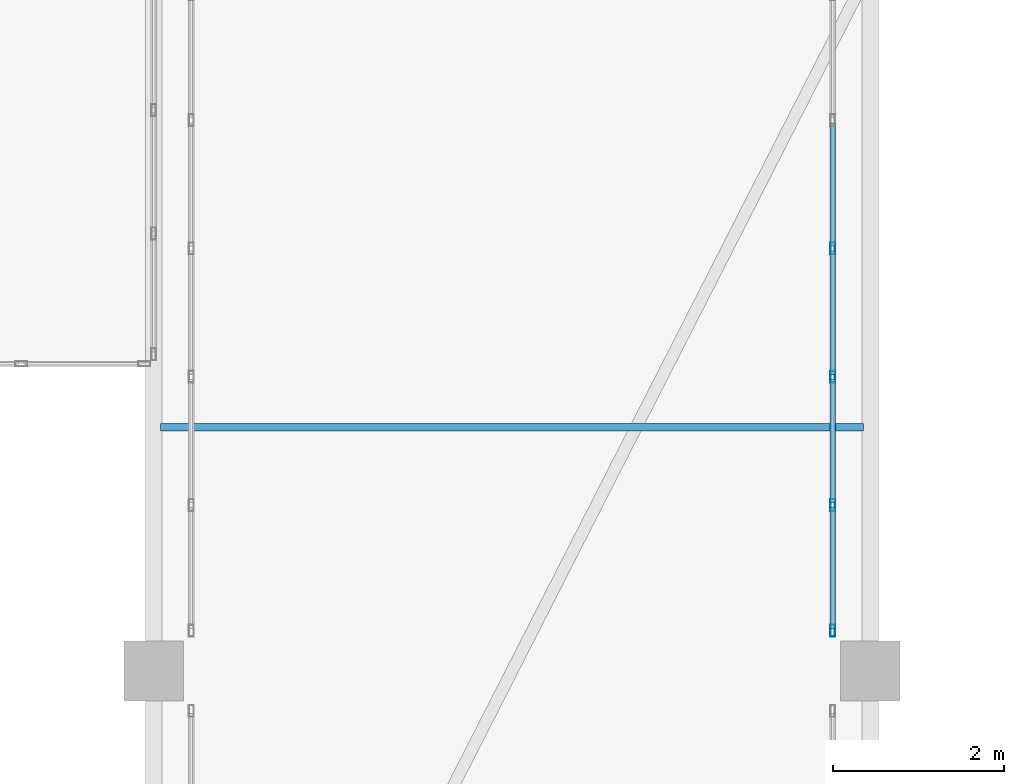
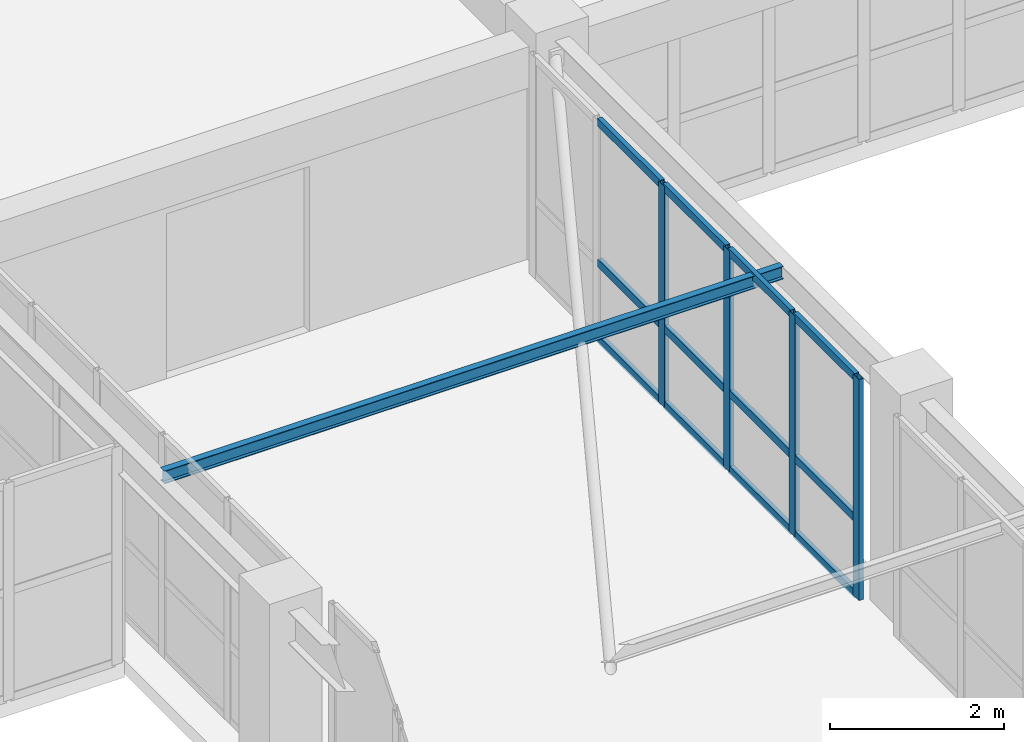
# One storey, part 39 of 148: 16 members, 1 beam, 1 element without a shape of its own.
"""IFC4 building model written with IfcOpenShell, lengths in metres."""

from ifc_helpers import new_model, si_unit, direction, frame, origin, origin_2d, place, context, subcontext, project, spatial, hollow_rectangle, i_section, extrude, material, layer, layer_set, material_profile, profile_set, type_object, element, aggregate, save


model = new_model("IFC4")

# Units and contexts
model_context = context("Model", 3, precision=1e-05, world=origin(), true_north=direction((0.0, 1.0)))
body_context = subcontext(model_context, "Body", "Model", "MODEL_VIEW")
ifc_project = project(units=[si_unit("LENGTHUNIT", "METRE"), si_unit("AREAUNIT", "SQUARE_METRE"), si_unit("VOLUMEUNIT", "CUBIC_METRE"), si_unit("PLANEANGLEUNIT", "RADIAN"), si_unit("MASSUNIT", "GRAM", prefix="KILO")], contexts=[model_context])

# Site, building, storey
site_placement = place(None, origin())
site = spatial("IfcSite", under=ifc_project, at=site_placement, CompositionType="ELEMENT")
building_placement = place(site_placement, origin())
building = spatial("IfcBuilding", under=site, at=building_placement, Name="Trelvath General Hospital", CompositionType="ELEMENT")
storey_placement = place(building_placement, frame((0.0, 0.0, 12.89990234375)))
storey = spatial("IfcBuildingStorey", under=building, at=storey_placement, Name="L03", CompositionType="ELEMENT", Elevation=12.89990234375)

# Beam
ifc_material_1 = material(Name="Steel S355", Category="steel")
ifc_material_profile_1 = material_profile(ifc_material_1, i_section(OverallWidth=0.091064453125, OverallDepth=0.179931640625, WebThickness=0.00537109375, FlangeThickness=0.008056640625, at=origin_2d()), Name="IPE180")
ifc_profile_set_1 = profile_set([ifc_material_profile_1], Name="Steel S355")
beam_type = type_object("IfcBeamType", Name="BridgeJoist IPE180", PredefinedType="JOIST", material=ifc_profile_set_1)
beam_placement = place(storey_placement, frame((75.679931640625, 36.4560546875, 3.02001953125), z_axis=(1.0, 0.0, 0.0), x_axis=(0.0, 1.0, 0.0)))
element("IfcBeam", 1, at=beam_placement, inside=storey, type_object=beam_type, Name="Bridge Cross Joist BRG-S-C L04", PredefinedType="JOIST", context=body_context, shape_type="SweptSolid", body=[
    extrude(i_section(OverallWidth=0.091064453125, OverallDepth=0.179931640625, WebThickness=0.00537109375, FlangeThickness=0.008056640625, at=origin_2d()), origin(), (0.0, 0.0, 1.0), 8.239990234375),
])

# Curtain wall, members
ifc_material_2 = material(Name="Anodised aluminium and low-E glass", Category="aluminium")
ifc_layer = layer(ifc_material_2, 0.139892578125)
ifc_layer_set = layer_set([ifc_layer], Name="Anodised aluminium and low-E glass")
curtain_wall_type = type_object("IfcCurtainWallType", Name="CW Bridge 752 311", PredefinedType="USERDEFINED", material=ifc_layer_set)
curtain_wall_placement = place(storey_placement, origin())
curtain_wall = element("IfcCurtainWall", 2, at=curtain_wall_placement, inside=storey, type_object=curtain_wall_type, Name="Glazed Bridge Curtain Wall BRG-S-C E L03", ObjectType="Unitised Glazed Curtain Wall", PredefinedType="USERDEFINED")
ifc_material_3 = material(Name="Anodised aluminium", Category="aluminium")
ifc_material_profile_2 = material_profile(ifc_material_3, hollow_rectangle(XDim=0.06005859375, YDim=0.139892578125, WallThickness=0.00390625, at=origin_2d()), Name="RHS60x140x4")
ifc_profile_set_2 = profile_set([ifc_material_profile_2], Name="Anodised aluminium")
member_type_1 = type_object("IfcMemberType", Name="CurtainMullion 60x140", PredefinedType="MULLION", material=ifc_profile_set_2)
member_1_placement = place(storey_placement, frame((83.56005859375, 38.552001953125, 0.0), z_axis=(0.0, 0.0, 1.0), x_axis=(1.0, 0.0, 0.0)))
member_1 = element("IfcMember", 3, at=member_1_placement, type_object=member_type_1, Name="CW-267 mullion 3", PredefinedType="MULLION", context=body_context, shape_type="SweptSolid", body=[
    extrude(hollow_rectangle(XDim=0.06005859375, YDim=0.139892578125, WallThickness=0.00390625, at=origin_2d()), origin(), (0.0, 0.0, 1.0), 3.110107421875),
])
member_2_placement = place(storey_placement, frame((83.56005859375, 37.048095703125, 0.0), z_axis=(0.0, 0.0, 1.0), x_axis=(1.0, 0.0, 0.0)))
member_2 = element("IfcMember", 4, at=member_2_placement, type_object=member_type_1, Name="CW-267 mullion 4", PredefinedType="MULLION", context=body_context, shape_type="SweptSolid", body=[
    extrude(hollow_rectangle(XDim=0.06005859375, YDim=0.139892578125, WallThickness=0.00390625, at=origin_2d()), origin(), (0.0, 0.0, 1.0), 3.110107421875),
])
member_3_placement = place(storey_placement, frame((83.56005859375, 35.5439453125, 0.0), z_axis=(0.0, 0.0, 1.0), x_axis=(1.0, 0.0, 0.0)))
member_3 = element("IfcMember", 5, at=member_3_placement, type_object=member_type_1, Name="CW-267 mullion 5", PredefinedType="MULLION", context=body_context, shape_type="SweptSolid", body=[
    extrude(hollow_rectangle(XDim=0.06005859375, YDim=0.139892578125, WallThickness=0.00390625, at=origin_2d()), origin(), (0.0, 0.0, 1.0), 3.110107421875),
])
member_4_placement = place(storey_placement, frame((83.56005859375, 34.070068359375, 0.0), z_axis=(0.0, 0.0, 1.0), x_axis=(1.0, 0.0, 0.0)))
member_4 = element("IfcMember", 6, at=member_4_placement, type_object=member_type_1, Name="CW-267 mullion 6", PredefinedType="MULLION", context=body_context, shape_type="SweptSolid", body=[
    extrude(hollow_rectangle(XDim=0.06005859375, YDim=0.139892578125, WallThickness=0.00390625, at=origin_2d()), origin(), (0.0, 0.0, 1.0), 3.110107421875),
])
ifc_material_4 = material(Name="Anodised aluminium", Category="aluminium")
ifc_material_profile_3 = material_profile(ifc_material_4, hollow_rectangle(XDim=0.06005859375, YDim=0.110107421875, WallThickness=0.00390625, at=origin_2d()), Name="RHS60x110x4")
ifc_profile_set_3 = profile_set([ifc_material_profile_3], Name="Anodised aluminium")
member_type_2 = type_object("IfcMemberType", Name="CurtainTransom 60x110", PredefinedType="USERDEFINED", material=ifc_profile_set_3)
member_5_placement = place(storey_placement, frame((83.56005859375, 40.02587890625, 0.030029296875), z_axis=(0.0, -1.0, 0.0), x_axis=(1.0, 0.0, 0.0)))
member_5 = element("IfcMember", 7, at=member_5_placement, type_object=member_type_2, Name="CW-267 transom 2.1", ObjectType="TRANSOM", PredefinedType="USERDEFINED", context=body_context, shape_type="SweptSolid", body=[
    extrude(hollow_rectangle(XDim=0.06005859375, YDim=0.110107421875, WallThickness=0.00390625, at=origin_2d()), origin(), (0.0, 0.0, 1.0), 1.44384765625),
])
member_6_placement = place(storey_placement, frame((83.56005859375, 40.02587890625, 1.10009765625), z_axis=(0.0, -1.0, 0.0), x_axis=(1.0, 0.0, 0.0)))
member_6 = element("IfcMember", 8, at=member_6_placement, type_object=member_type_2, Name="CW-267 transom 2.2", ObjectType="TRANSOM", PredefinedType="USERDEFINED", context=body_context, shape_type="SweptSolid", body=[
    extrude(hollow_rectangle(XDim=0.06005859375, YDim=0.110107421875, WallThickness=0.00390625, at=origin_2d()), origin(), (0.0, 0.0, 1.0), 1.44384765625),
])
member_7_placement = place(storey_placement, frame((83.56005859375, 40.02587890625, 3.080078125), z_axis=(0.0, -1.0, 0.0), x_axis=(1.0, 0.0, 0.0)))
member_7 = element("IfcMember", 9, at=member_7_placement, type_object=member_type_2, Name="CW-267 transom 2.3", ObjectType="TRANSOM", PredefinedType="USERDEFINED", context=body_context, shape_type="SweptSolid", body=[
    extrude(hollow_rectangle(XDim=0.06005859375, YDim=0.110107421875, WallThickness=0.00390625, at=origin_2d()), origin(), (0.0, 0.0, 1.0), 1.44384765625),
])
member_8_placement = place(storey_placement, frame((83.56005859375, 38.52197265625, 0.030029296875), z_axis=(0.0, -1.0, 0.0), x_axis=(1.0, 0.0, 0.0)))
member_8 = element("IfcMember", 10, at=member_8_placement, type_object=member_type_2, Name="CW-267 transom 3.1", ObjectType="TRANSOM", PredefinedType="USERDEFINED", context=body_context, shape_type="SweptSolid", body=[
    extrude(hollow_rectangle(XDim=0.06005859375, YDim=0.110107421875, WallThickness=0.00390625, at=origin_2d()), origin(), (0.0, 0.0, 1.0), 1.444091796875),
])
member_9_placement = place(storey_placement, frame((83.56005859375, 38.52197265625, 1.10009765625), z_axis=(0.0, -1.0, 0.0), x_axis=(1.0, 0.0, 0.0)))
member_9 = element("IfcMember", 11, at=member_9_placement, type_object=member_type_2, Name="CW-267 transom 3.2", ObjectType="TRANSOM", PredefinedType="USERDEFINED", context=body_context, shape_type="SweptSolid", body=[
    extrude(hollow_rectangle(XDim=0.06005859375, YDim=0.110107421875, WallThickness=0.00390625, at=origin_2d()), origin(), (0.0, 0.0, 1.0), 1.444091796875),
])
member_10_placement = place(storey_placement, frame((83.56005859375, 38.52197265625, 3.080078125), z_axis=(0.0, -1.0, 0.0), x_axis=(1.0, 0.0, 0.0)))
member_10 = element("IfcMember", 12, at=member_10_placement, type_object=member_type_2, Name="CW-267 transom 3.3", ObjectType="TRANSOM", PredefinedType="USERDEFINED", context=body_context, shape_type="SweptSolid", body=[
    extrude(hollow_rectangle(XDim=0.06005859375, YDim=0.110107421875, WallThickness=0.00390625, at=origin_2d()), origin(), (0.0, 0.0, 1.0), 1.444091796875),
])
member_11_placement = place(storey_placement, frame((83.56005859375, 37.01806640625, 0.030029296875), z_axis=(0.0, -1.0, 0.0), x_axis=(1.0, 0.0, 0.0)))
member_11 = element("IfcMember", 13, at=member_11_placement, type_object=member_type_2, Name="CW-267 transom 4.1", ObjectType="TRANSOM", PredefinedType="USERDEFINED", context=body_context, shape_type="SweptSolid", body=[
    extrude(hollow_rectangle(XDim=0.06005859375, YDim=0.110107421875, WallThickness=0.00390625, at=origin_2d()), origin(), (0.0, 0.0, 1.0), 1.444091796875),
])
member_12_placement = place(storey_placement, frame((83.56005859375, 37.01806640625, 1.10009765625), z_axis=(0.0, -1.0, 0.0), x_axis=(1.0, 0.0, 0.0)))
member_12 = element("IfcMember", 14, at=member_12_placement, type_object=member_type_2, Name="CW-267 transom 4.2", ObjectType="TRANSOM", PredefinedType="USERDEFINED", context=body_context, shape_type="SweptSolid", body=[
    extrude(hollow_rectangle(XDim=0.06005859375, YDim=0.110107421875, WallThickness=0.00390625, at=origin_2d()), origin(), (0.0, 0.0, 1.0), 1.444091796875),
])
member_13_placement = place(storey_placement, frame((83.56005859375, 37.01806640625, 3.080078125), z_axis=(0.0, -1.0, 0.0), x_axis=(1.0, 0.0, 0.0)))
member_13 = element("IfcMember", 15, at=member_13_placement, type_object=member_type_2, Name="CW-267 transom 4.3", ObjectType="TRANSOM", PredefinedType="USERDEFINED", context=body_context, shape_type="SweptSolid", body=[
    extrude(hollow_rectangle(XDim=0.06005859375, YDim=0.110107421875, WallThickness=0.00390625, at=origin_2d()), origin(), (0.0, 0.0, 1.0), 1.444091796875),
])
member_14_placement = place(storey_placement, frame((83.56005859375, 35.513916015625, 0.030029296875), z_axis=(0.0, -1.0, 0.0), x_axis=(1.0, 0.0, 0.0)))
member_14 = element("IfcMember", 16, at=member_14_placement, type_object=member_type_2, Name="CW-267 transom 5.1", ObjectType="TRANSOM", PredefinedType="USERDEFINED", context=body_context, shape_type="SweptSolid", body=[
    extrude(hollow_rectangle(XDim=0.06005859375, YDim=0.110107421875, WallThickness=0.00390625, at=origin_2d()), origin(), (0.0, 0.0, 1.0), 1.413818359375),
])
member_15_placement = place(storey_placement, frame((83.56005859375, 35.513916015625, 1.10009765625), z_axis=(0.0, -1.0, 0.0), x_axis=(1.0, 0.0, 0.0)))
member_15 = element("IfcMember", 17, at=member_15_placement, type_object=member_type_2, Name="CW-267 transom 5.2", ObjectType="TRANSOM", PredefinedType="USERDEFINED", context=body_context, shape_type="SweptSolid", body=[
    extrude(hollow_rectangle(XDim=0.06005859375, YDim=0.110107421875, WallThickness=0.00390625, at=origin_2d()), origin(), (0.0, 0.0, 1.0), 1.413818359375),
])
member_16_placement = place(storey_placement, frame((83.56005859375, 35.513916015625, 3.080078125), z_axis=(0.0, -1.0, 0.0), x_axis=(1.0, 0.0, 0.0)))
member_16 = element("IfcMember", 18, at=member_16_placement, type_object=member_type_2, Name="CW-267 transom 5.3", ObjectType="TRANSOM", PredefinedType="USERDEFINED", context=body_context, shape_type="SweptSolid", body=[
    extrude(hollow_rectangle(XDim=0.06005859375, YDim=0.110107421875, WallThickness=0.00390625, at=origin_2d()), origin(), (0.0, 0.0, 1.0), 1.413818359375),
])
aggregate(curtain_wall, [member_1, member_2, member_3, member_4, member_5, member_6, member_7, member_8, member_9, member_10, member_11, member_12, member_13, member_14, member_15, member_16])

save(model, "model.ifc")
